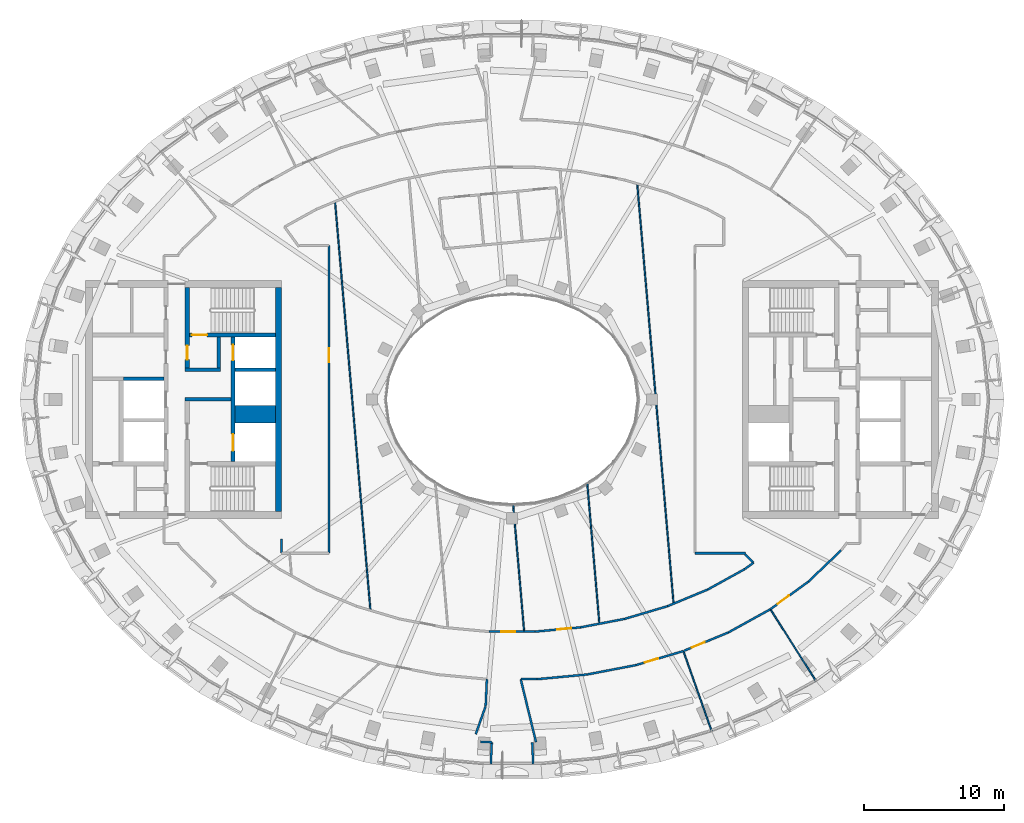
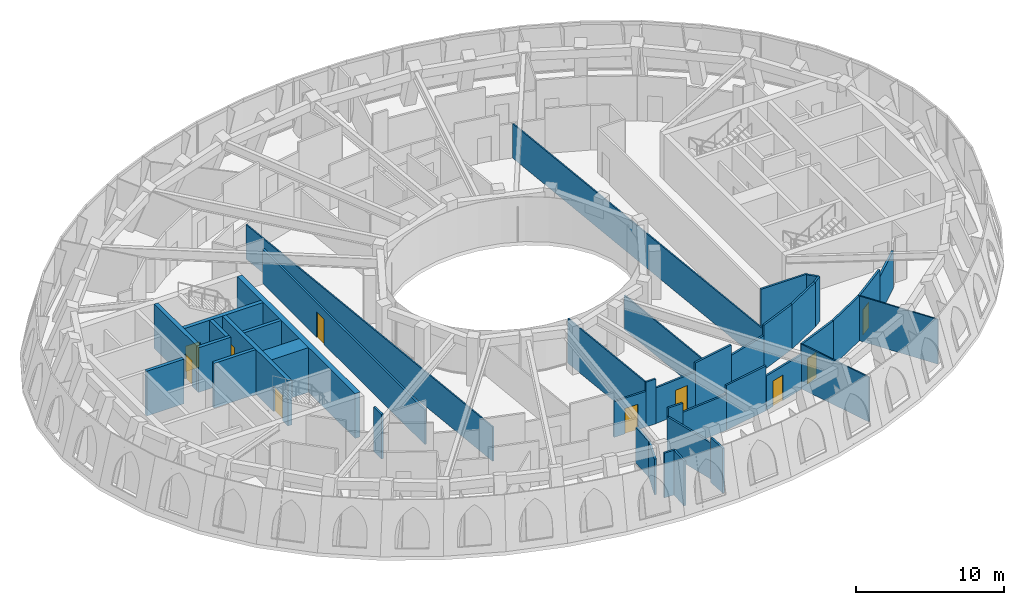
# One storey, part 4 of 14: 42 walls, 10 doors, 10 openings.
"""IFC4 building model written with IfcOpenShell, lengths in metres."""

import ifcopenshell
import ifcopenshell.guid

model = None  # the IFC model being written
_history = None  # IfcOwnerHistory: only IFC2X3 demands one
_inside = {}  # id of a spatial element -> (the spatial element, [elements in it])
_under = {}  # id of a project, library or spatial element -> (it, [spatial elements below it])
_declared = {}  # id of a project -> (the project, [libraries it declares])
_typed = {}  # id of a type object -> (the type object, [elements of that type])
_made_of = {}  # id of a material, layer set ... -> (it, [elements and type objects made of it])


def new_model(schema):
    """Start an empty IFC model of exactly this schema.

    Asked for "IFC4X3", IfcOpenShell would pick the latest addendum, in which some entities
    have other attributes; the version numbers below select the first issue.
    IFC2X3 requires an IfcOwnerHistory on every rooted entity: one is made here for all.
    """
    global model, _history
    if schema == "IFC4X3":
        model = ifcopenshell.file(schema_version=(4, 3, 0, 0))
    else:
        model = ifcopenshell.file(schema=schema)
    _inside.clear()
    _under.clear()
    _declared.clear()
    _typed.clear()
    _made_of.clear()
    _history = None
    if model.schema == "IFC2X3":
        org = make("IfcOrganization", Name="unknown")
        user = make(
            "IfcPersonAndOrganization",
            ThePerson=make("IfcPerson", FamilyName="unknown"),
            TheOrganization=org,
        )
        app = make(
            "IfcApplication",
            ApplicationDeveloper=org,
            Version="unknown",
            ApplicationFullName="unknown",
            ApplicationIdentifier="unknown",
        )
        _history = make(
            "IfcOwnerHistory",
            OwningUser=user,
            OwningApplication=app,
            ChangeAction="ADDED",
            CreationDate=0,
        )
    return model


def make(cls, **values):
    """One entity of the class cls with the attributes given. An attribute that is None is left unset."""
    return model.create_entity(
        cls, **{name: value for name, value in values.items() if value is not None}
    )


def rooted(cls, **values):
    """An entity with a GlobalId (a new one), such as an element, a storey or a relation."""
    return make(cls, GlobalId=ifcopenshell.guid.new(), OwnerHistory=_history, **values)


def si_unit(unit_type, name, prefix=None):
    """IfcSIUnit, for example si_unit("LENGTHUNIT", "METRE", prefix="MILLI")."""
    return make("IfcSIUnit", UnitType=unit_type, Prefix=prefix, Name=name)


def assignment(units):
    """IfcUnitAssignment: the units of a project."""
    return None if units is None else make("IfcUnitAssignment", Units=units)


def point(xyz):
    """IfcCartesianPoint."""
    return None if xyz is None else make("IfcCartesianPoint", Coordinates=xyz)


def direction(xyz):
    """IfcDirection."""
    return None if xyz is None else make("IfcDirection", DirectionRatios=xyz)


def frame(location, z_axis=None, x_axis=None):
    """IfcAxis2Placement3D, a coordinate frame: its origin and axes. An axis left out is left unset."""
    return make(
        "IfcAxis2Placement3D",
        Location=point(location),
        Axis=direction(z_axis),
        RefDirection=direction(x_axis),
    )


def frame_2d(location, x_axis=None):
    """IfcAxis2Placement2D, a coordinate frame in the plane: its origin and x axis."""
    return make(
        "IfcAxis2Placement2D", Location=point(location), RefDirection=direction(x_axis)
    )


def origin():
    """The frame at (0, 0, 0) with its axes left unset."""
    return frame((0.0, 0.0, 0.0))


def place(relative_to, where):
    """IfcLocalPlacement: puts the frame where relative to a parent placement (None: the world)."""
    return make(
        "IfcLocalPlacement", PlacementRelTo=relative_to, RelativePlacement=where
    )


def context(
    kind, dimensions, precision=None, world=None, true_north=None, identifier=None
):
    """IfcGeometricRepresentationContext, for example the 3D "Model" context."""
    return make(
        "IfcGeometricRepresentationContext",
        ContextIdentifier=identifier,
        ContextType=kind,
        CoordinateSpaceDimension=dimensions,
        Precision=precision,
        WorldCoordinateSystem=world,
        TrueNorth=true_north,
    )


def subcontext(parent, identifier, kind, view, scale=None):
    """IfcGeometricRepresentationSubContext, for example "Body" below "Model"."""
    return make(
        "IfcGeometricRepresentationSubContext",
        ContextIdentifier=identifier,
        ContextType=kind,
        ParentContext=parent,
        TargetScale=scale,
        TargetView=view,
    )


def project(units=None, contexts=None):
    """IfcProject with its units and contexts."""
    return rooted(
        "IfcProject",
        Name="project",
        RepresentationContexts=contexts,
        UnitsInContext=assignment(units),
    )


def spatial(cls, under=None, at=None, **own):
    """A site, building, storey or space (cls), placed at a placement, below another one or the project."""
    s = rooted(cls, ObjectPlacement=at, **own)
    if under is not None:
        _under.setdefault(under.id(), (under, []))[1].append(s)
    return s


def profile(cls, at=None, kind="AREA", **sizes):
    """A parametric profile (cls). Its sizes go by their IFC names, for example OverallWidth=200.0."""
    return make(cls, ProfileType=kind, Position=at, **sizes)


def rectangle(**sizes):
    """IfcRectangleProfileDef."""
    return profile("IfcRectangleProfileDef", **sizes)


def extrude(swept, where, along, depth):
    """IfcExtrudedAreaSolid: the profile swept, set in the frame where, extruded along a direction by depth."""
    return make(
        "IfcExtrudedAreaSolid",
        SweptArea=swept,
        Position=where,
        ExtrudedDirection=direction(along),
        Depth=depth,
    )


def shape(context_of_items, identifier, shape_type, items):
    """IfcShapeRepresentation: the items that make up one representation, for example the "Body"."""
    return make(
        "IfcShapeRepresentation",
        ContextOfItems=context_of_items,
        RepresentationIdentifier=identifier,
        RepresentationType=shape_type,
        Items=items,
    )


def material(Name=None, Category=None):
    """IfcMaterial."""
    return make("IfcMaterial", Name=Name, Category=Category)


def layer(
    of_material, thickness, ventilated=None, Name=None, Category=None, Priority=None
):
    """IfcMaterialLayer: one layer of a wall or slab, of a material (None: an air gap)."""
    return make(
        "IfcMaterialLayer",
        Material=of_material,
        LayerThickness=thickness,
        IsVentilated=ventilated,
        Name=Name,
        Category=Category,
        Priority=Priority,
    )


def layer_set(layers, Name=None):
    """IfcMaterialLayerSet."""
    return make("IfcMaterialLayerSet", MaterialLayers=layers, LayerSetName=Name)


def made_of(thing, what):
    """Note that an element or type object is made of a material, layer set ...; save() writes the relation."""
    if what is not None:
        _made_of.setdefault(what.id(), (what, []))[1].append(thing)
    return thing


def type_object(cls, material=None, **own):
    """A type object (cls), such as IfcWallType, which elements share."""
    return made_of(rooted(cls, **own), material)


def element(
    cls,
    number,
    at=None,
    inside=None,
    cuts=None,
    type_object=None,
    material=None,
    context=None,
    identifier="Body",
    shape_type=None,
    held_by="IfcProductDefinitionShape",
    body=None,
    shapes=None,
    **own,
):
    """One element of the class cls, such as IfcWall. Its Tag is "e" and its number.

    at: its placement. inside: the storey or other place that contains it. cuts: it is an
    opening in that element (IfcRelVoidsElement). A single representation is given by context,
    identifier, shape_type and body (its items); several are given by shapes. held_by: the class
    of the entity that holds the representations. save() writes the other relations.
    """
    e = rooted(cls, Tag="e%d" % number, ObjectPlacement=at, **own)
    if body is not None:
        shapes = [shape(context, identifier, shape_type, body)]
    if shapes is not None:
        e.Representation = make(held_by, Representations=shapes)
    if inside is not None:
        _inside.setdefault(inside.id(), (inside, []))[1].append(e)
    if cuts is not None:
        rooted(
            "IfcRelVoidsElement", RelatingBuildingElement=cuts, RelatedOpeningElement=e
        )
    if type_object is not None:
        _typed.setdefault(type_object.id(), (type_object, []))[1].append(e)
    return made_of(e, material)


def fill(opening, filler):
    """IfcRelFillsElement: the door or window that sits in an opening."""
    return rooted(
        "IfcRelFillsElement",
        RelatingOpeningElement=opening,
        RelatedBuildingElement=filler,
    )


def aggregate(whole, parts):
    """IfcRelAggregates: a whole, such as a stair, and the parts it consists of."""
    return rooted("IfcRelAggregates", RelatingObject=whole, RelatedObjects=parts)


def save(model, path):
    """Write the relations noted so far, then the file.

    IfcRelAggregates (storeys below a building ...), IfcRelContainedInSpatialStructure (elements
    in a storey), IfcRelDefinesByType, IfcRelAssociatesMaterial and IfcRelDeclares: one each for
    every whole, place, type object, material and project.
    """
    for whole, parts in _under.values():
        aggregate(whole, parts)
    for where, things in _inside.values():
        rooted(
            "IfcRelContainedInSpatialStructure",
            RelatedElements=things,
            RelatingStructure=where,
        )
    for kind, things in _typed.values():
        rooted("IfcRelDefinesByType", RelatedObjects=things, RelatingType=kind)
    for what, things in _made_of.values():
        rooted("IfcRelAssociatesMaterial", RelatedObjects=things, RelatingMaterial=what)
    for by, libraries in _declared.values():
        rooted("IfcRelDeclares", RelatingContext=by, RelatedDefinitions=libraries)
    model.write(path)


model = new_model("IFC4")

# Units and contexts
model_context = context("Model", 3, precision=1e-05, world=origin(), true_north=direction((0.0, 1.0)))
body_context = subcontext(model_context, "Body", "Model", "MODEL_VIEW")
ifc_project = project(units=[si_unit("LENGTHUNIT", "METRE"), si_unit("AREAUNIT", "SQUARE_METRE"), si_unit("VOLUMEUNIT", "CUBIC_METRE"), si_unit("PLANEANGLEUNIT", "RADIAN"), si_unit("MASSUNIT", "GRAM", prefix="KILO")], contexts=[model_context])

# Site, building, storey
site_placement = place(None, origin())
site = spatial("IfcSite", under=ifc_project, at=site_placement, CompositionType="ELEMENT")
building_placement = place(site_placement, origin())
building = spatial("IfcBuilding", under=site, at=building_placement, Name="Noorbagh Ring Tower", CompositionType="ELEMENT")
storey_placement = place(building_placement, frame((0.0, 0.0, 339.0)))
storey = spatial("IfcBuildingStorey", under=building, at=storey_placement, Name="L74", CompositionType="ELEMENT", Elevation=339.0)

# Walls
ifc_material_1 = material(Name="Concrete C50/60", Category="concrete")
ifc_layer_1 = layer(ifc_material_1, 1.25)
ifc_layer_set_1 = layer_set([ifc_layer_1], Name="Concrete C50/60")
wall_type_1 = type_object("IfcWallType", Name="CORE-WALL-1250-C50-60-EI120", PredefinedType="SHEAR", material=ifc_layer_set_1)
wall_1_placement = place(storey_placement, frame((-16.89990234375, -1.074951171875, 0.0), z_axis=(0.0, 0.0, 1.0), x_axis=(-1.0, 0.0, 0.0)))
element("IfcWall", 1, at=wall_1_placement, inside=storey, type_object=wall_type_1, Name="Core wall W", PredefinedType="SHEAR", context=body_context, shape_type="SweptSolid", body=[
    extrude(rectangle(XDim=2.900146484375, YDim=1.25, at=frame_2d((1.4501953125, 0.0))), origin(), (0.0, 0.0, 1.0), 3.699951171875),
])
ifc_material_2 = material(Name="Concrete C50/60", Category="concrete")
ifc_layer_2 = layer(ifc_material_2, 0.25)
ifc_layer_set_2 = layer_set([ifc_layer_2], Name="Concrete C50/60")
wall_type_2 = type_object("IfcWallType", Name="CORE-WALL-250-C50-60-EI120", PredefinedType="SHEAR", material=ifc_layer_set_2)
for number, where, z_axis, x_axis, name in (
    (2, (-16.89990234375, 2.125, 0.0), (0.0, 0.0, 1.0), (-1.0, 0.0, 0.0), "Core wall W"),
    (3, (-24.89990234375, 1.47509765625, 0.0), (0.0, 0.0, 1.0), (-1.0, 0.0, 0.0), "Core wall W"),
):
    element("IfcWall", number, at=place(storey_placement, frame(where, z_axis=z_axis, x_axis=x_axis)), inside=storey, type_object=wall_type_2, Name=name, PredefinedType="SHEAR", context=body_context, shape_type="SweptSolid", body=[
        extrude(rectangle(XDim=2.900146484375, YDim=0.25, at=frame_2d((1.4501953125, 0.0))), origin(), (0.0, 0.0, 1.0), 3.699951171875),
    ])
ifc_material_3 = material(Name="Concrete C50/60", Category="concrete")
ifc_layer_3 = layer(ifc_material_3, 0.25)
ifc_layer_set_3 = layer_set([ifc_layer_3], Name="Concrete C50/60")
wall_type_3 = type_object("IfcWallType", Name="CORE-WALL-250-C50-60-EI240", PredefinedType="SHEAR", material=ifc_layer_set_3)
wall_2_placement = place(storey_placement, frame((-20.10009765625, 0.0, 0.0), z_axis=(0.0, 0.0, 1.0), x_axis=(-1.0, 0.0, 0.0)))
element("IfcWall", 4, at=wall_2_placement, inside=storey, type_object=wall_type_3, Name="Core wall W", PredefinedType="SHEAR", context=body_context, shape_type="SweptSolid", body=[
    extrude(rectangle(XDim=3.27978515625, YDim=0.25, at=frame_2d((1.639892578125, 0.0))), origin(), (0.0, 0.0, 1.0), 3.699951171875),
])
wall_3_placement = place(storey_placement, frame((-20.85009765625, 2.125, 0.0), z_axis=(0.0, 0.0, 1.0), x_axis=(-1.0, 0.0, 0.0)))
element("IfcWall", 5, at=wall_3_placement, inside=storey, type_object=wall_type_3, Name="Core wall W", PredefinedType="SHEAR", context=body_context, shape_type="SweptSolid", body=[
    extrude(rectangle(XDim=2.52978515625, YDim=0.25, at=frame_2d((1.264892578125, 0.0))), origin(), (0.0, 0.0, 1.0), 3.699951171875),
])
wall_4_placement = place(storey_placement, frame((-20.97509765625, 2.25, 0.0), z_axis=(0.0, 0.0, 1.0), x_axis=(0.0, 1.0, 0.0)))
element("IfcWall", 6, at=wall_4_placement, inside=storey, type_object=wall_type_3, Name="Core wall W", PredefinedType="SHEAR", context=body_context, shape_type="SweptSolid", body=[
    extrude(rectangle(XDim=2.199951171875, YDim=0.25, at=frame_2d((1.10009765625, 0.0))), origin(), (0.0, 0.0, 1.0), 3.699951171875),
])

# Wall, openings, doors
ifc_material_4 = material(Name="Concrete C50/60", Category="concrete")
ifc_layer_4 = layer(ifc_material_4, 0.300048828125)
ifc_layer_set_4 = layer_set([ifc_layer_4], Name="Concrete C50/60")
wall_type_4 = type_object("IfcWallType", Name="CORE-WALL-300-C50-60-EI120", PredefinedType="SHEAR", material=ifc_layer_set_4)
wall_5_placement = place(storey_placement, frame((-19.949951171875, -4.449951171875, 0.0), z_axis=(0.0, 0.0, 1.0), x_axis=(0.0, 1.0, 0.0)))
wall_5 = element("IfcWall", 7, at=wall_5_placement, inside=storey, type_object=wall_type_4, Name="Core wall W", PredefinedType="SHEAR", context=body_context, shape_type="SweptSolid", body=[
    extrude(rectangle(XDim=8.89990234375, YDim=0.300048828125, at=frame_2d((4.449951171875, 0.0))), origin(), (0.0, 0.0, 1.0), 3.699951171875),
])
opening_1_placement = place(wall_5_placement, frame((0.77490234375, 0.0, 0.0)))
opening_1 = element("IfcOpeningElement", 8, at=opening_1_placement, cuts=wall_5, Name="Opening L74-CW01", PredefinedType="OPENING", context=body_context, shape_type="SweptSolid", body=[
    extrude(rectangle(XDim=1.199951171875, YDim=2.10009765625, at=frame_2d((0.60009765625, 1.050048828125))), frame((0.0, 0.16015625, 0.0), z_axis=(0.0, -1.0, 0.0), x_axis=(1.0, 0.0, 0.0)), (0.0, 0.0, 1.0), 0.320068359375),
])
opening_2_placement = place(wall_5_placement, frame((7.25, 0.0, 0.0)))
opening_2 = element("IfcOpeningElement", 9, at=opening_2_placement, cuts=wall_5, Name="Opening L74-CW02", PredefinedType="OPENING", context=body_context, shape_type="SweptSolid", body=[
    extrude(rectangle(XDim=1.10009765625, YDim=2.10009765625, at=frame_2d((0.550048828125, 1.050048828125))), frame((0.0, 0.16015625, 0.0), z_axis=(0.0, -1.0, 0.0), x_axis=(1.0, 0.0, 0.0)), (0.0, 0.0, 1.0), 0.320068359375),
])
ifc_material_5 = material(Name="Steel door leaf", Category="steel")
door_type_1 = type_object("IfcDoorType", Name="CORE-DOOR-LD", OperationType="DOUBLE_DOOR_SLIDING", PredefinedType="DOOR", material=ifc_material_5)
door_1_placement = place(opening_2_placement, origin())
door_1 = element("IfcDoor", 10, at=door_1_placement, inside=storey, type_object=door_type_1, Name="Landing door HR1 L74-CW02", OperationType="DOUBLE_DOOR_SLIDING", OverallHeight=2.10009765625, OverallWidth=1.10009765625, PredefinedType="DOOR", context=body_context, shape_type="SweptSolid", body=[
    extrude(rectangle(XDim=1.10009765625, YDim=2.10009765625, at=frame_2d((0.550048828125, 1.050048828125))), frame((0.0, 0.02490234375, 0.0), z_axis=(0.0, -1.0, 0.0), x_axis=(1.0, 0.0, 0.0)), (0.0, 0.0, 1.0), 0.050048828125),
])
fill(opening_2, door_1)
ifc_material_6 = material(Name="Steel door leaf", Category="steel")
door_type_2 = type_object("IfcDoorType", Name="CORE-DOOR-LDW", OperationType="DOUBLE_DOOR_SLIDING", PredefinedType="DOOR", material=ifc_material_6)
door_2_placement = place(opening_1_placement, origin())
door_2 = element("IfcDoor", 11, at=door_2_placement, inside=storey, type_object=door_type_2, Name="Landing door FF1 L74-CW01", OperationType="DOUBLE_DOOR_SLIDING", OverallHeight=2.10009765625, OverallWidth=1.199951171875, PredefinedType="DOOR", context=body_context, shape_type="SweptSolid", body=[
    extrude(rectangle(XDim=1.199951171875, YDim=2.10009765625, at=frame_2d((0.60009765625, 1.050048828125))), frame((0.0, 0.02490234375, 0.0), z_axis=(0.0, -1.0, 0.0), x_axis=(1.0, 0.0, 0.0)), (0.0, 0.0, 1.0), 0.050048828125),
])
fill(opening_1, door_2)

# Wall, opening, door
ifc_material_7 = material(Name="Concrete C50/60", Category="concrete")
ifc_layer_5 = layer(ifc_material_7, 0.300048828125)
ifc_layer_set_5 = layer_set([ifc_layer_5], Name="Concrete C50/60")
wall_type_5 = type_object("IfcWallType", Name="CORE-WALL-300-C50-60-EI240", PredefinedType="SHEAR", material=ifc_layer_set_5)
wall_6_placement = place(storey_placement, frame((-23.22998046875, 2.25, 0.0), z_axis=(0.0, 0.0, 1.0), x_axis=(0.0, 1.0, 0.0)))
wall_6 = element("IfcWall", 12, at=wall_6_placement, inside=storey, type_object=wall_type_5, Name="Core wall W", PredefinedType="SHEAR", context=body_context, shape_type="SweptSolid", body=[
    extrude(rectangle(XDim=5.75, YDim=0.300048828125, at=frame_2d((2.875, 0.0))), origin(), (0.0, 0.0, 1.0), 3.699951171875),
])
opening_3_placement = place(wall_6_placement, frame((0.60009765625, 0.0, 0.0)))
opening_3 = element("IfcOpeningElement", 13, at=opening_3_placement, cuts=wall_6, Name="Opening L74-CW08", PredefinedType="OPENING", context=body_context, shape_type="SweptSolid", body=[
    extrude(rectangle(XDim=1.0, YDim=2.10009765625, at=frame_2d((0.5, 1.050048828125))), frame((0.0, 0.16015625, 0.0), z_axis=(0.0, -1.0, 0.0), x_axis=(1.0, 0.0, 0.0)), (0.0, 0.0, 1.0), 0.320068359375),
])
ifc_material_8 = material(Name="Steel door leaf", Category="steel")
door_type_3 = type_object("IfcDoorType", Name="CORE-DOOR-DVEST", OperationType="SINGLE_SWING_LEFT", PredefinedType="DOOR", material=ifc_material_8)
door_3_placement = place(opening_3_placement, origin())
door_3 = element("IfcDoor", 14, at=door_3_placement, inside=storey, type_object=door_type_3, Name="Stair vestibule door L74-CW08", OperationType="SINGLE_SWING_LEFT", OverallHeight=2.10009765625, OverallWidth=1.0, PredefinedType="DOOR", context=body_context, shape_type="SweptSolid", body=[
    extrude(rectangle(XDim=1.0, YDim=2.10009765625, at=frame_2d((0.5, 1.050048828125))), frame((0.0, 0.02490234375, 0.0), z_axis=(0.0, -1.0, 0.0), x_axis=(1.0, 0.0, 0.0)), (0.0, 0.0, 1.0), 0.050048828125),
])
fill(opening_3, door_3)

wall_7_placement = place(storey_placement, frame((-16.89990234375, 4.60009765625, 0.0), z_axis=(0.0, 0.0, 1.0), x_axis=(-1.0, 0.0, 0.0)))
wall_7 = element("IfcWall", 15, at=wall_7_placement, inside=storey, type_object=wall_type_5, Name="Core wall W", PredefinedType="SHEAR", context=body_context, shape_type="SweptSolid", body=[
    extrude(rectangle(XDim=6.18017578125, YDim=0.300048828125, at=frame_2d((3.090087890625, 0.0))), origin(), (0.0, 0.0, 1.0), 3.699951171875),
])
opening_4_placement = place(wall_7_placement, frame((4.89990234375, 0.0, 0.0)))
opening_4 = element("IfcOpeningElement", 16, at=opening_4_placement, cuts=wall_7, Name="Opening L74-CW05", PredefinedType="OPENING", context=body_context, shape_type="SweptSolid", body=[
    extrude(rectangle(XDim=1.10009765625, YDim=2.10009765625, at=frame_2d((0.550048828125, 1.050048828125))), frame((0.0, 0.16015625, 0.0), z_axis=(0.0, -1.0, 0.0), x_axis=(1.0, 0.0, 0.0)), (0.0, 0.0, 1.0), 0.320068359375),
])
ifc_material_9 = material(Name="Steel door leaf", Category="steel")
door_type_4 = type_object("IfcDoorType", Name="CORE-DOOR-DSTAIR", OperationType="SINGLE_SWING_LEFT", PredefinedType="DOOR", material=ifc_material_9)
door_4_placement = place(opening_4_placement, origin())
door_4 = element("IfcDoor", 17, at=door_4_placement, inside=storey, type_object=door_type_4, Name="Stair door ST1 L74-CW05", OperationType="SINGLE_SWING_RIGHT", OverallHeight=2.10009765625, OverallWidth=1.10009765625, PredefinedType="DOOR", context=body_context, shape_type="SweptSolid", body=[
    extrude(rectangle(XDim=1.10009765625, YDim=2.10009765625, at=frame_2d((0.550048828125, 1.050048828125))), frame((0.0, 0.02490234375, 0.0), z_axis=(0.0, -1.0, 0.0), x_axis=(1.0, 0.0, 0.0)), (0.0, 0.0, 1.0), 0.050048828125),
])
fill(opening_4, door_4)

# Walls
ifc_material_10 = material(Name="Concrete C50/60", Category="concrete")
ifc_layer_6 = layer(ifc_material_10, 0.39990234375)
ifc_layer_set_6 = layer_set([ifc_layer_6], Name="Concrete C50/60")
wall_type_6 = type_object("IfcWallType", Name="CORE-WALL-400-C50-60-EI240", PredefinedType="SHEAR", material=ifc_layer_set_6)
wall_8_placement = place(storey_placement, frame((-16.699951171875, -8.0, 0.0), z_axis=(0.0, 0.0, 1.0), x_axis=(0.0, 1.0, 0.0)))
element("IfcWall", 18, at=wall_8_placement, inside=storey, type_object=wall_type_6, Name="Core wall W", PredefinedType="SHEAR", context=body_context, shape_type="SweptSolid", body=[
    extrude(rectangle(XDim=16.0, YDim=0.39990234375, at=frame_2d((8.0, 0.0))), origin(), (0.0, 0.0, 1.0), 3.699951171875),
])
ifc_material_11 = material(Name="Gypsum board on steel studs", Category="steel")
ifc_layer_7 = layer(ifc_material_11, 0.14990234375)
ifc_layer_set_7 = layer_set([ifc_layer_7], Name="Gypsum board on steel studs")
wall_type_7 = type_object("IfcWallType", Name="CORRIDOR PARTITION 150 EI 30", PredefinedType="PARTITIONING", material=ifc_layer_set_7)
wall_9_placement = place(storey_placement, frame((-16.5, -11.0, 0.0), z_axis=(0.0, 0.0, 1.0), x_axis=(0.0, 1.0, 0.0)))
element("IfcWall", 19, at=wall_9_placement, inside=storey, type_object=wall_type_7, Name="L74/wall/P23", PredefinedType="PARTITIONING", context=body_context, shape_type="SweptSolid", body=[
    extrude(rectangle(XDim=1.035888671875, YDim=0.14990234375, at=frame_2d((0.51806640625, 0.0))), origin(), (0.0, 0.0, 1.0), 3.699951171875),
])

# Wall, opening, door
wall_10_placement = place(storey_placement, frame((-13.10009765625, -11.0, 0.0), z_axis=(0.0, 0.0, 1.0), x_axis=(0.0, 1.0, 0.0)))
wall_10 = element("IfcWall", 20, at=wall_10_placement, inside=storey, type_object=wall_type_7, Name="L74/wall/P36", PredefinedType="PARTITIONING", context=body_context, shape_type="SweptSolid", body=[
    extrude(rectangle(XDim=22.0, YDim=0.14990234375, at=frame_2d((11.0, 0.0))), origin(), (0.0, 0.0, 1.0), 2.85009765625),
])
opening_5_placement = place(wall_10_placement, frame((13.64990234375, 0.0, 0.0)))
opening_5 = element("IfcOpeningElement", 21, at=opening_5_placement, cuts=wall_10, Name="Opening D1", PredefinedType="OPENING", context=body_context, shape_type="SweptSolid", body=[
    extrude(rectangle(XDim=1.0, YDim=2.10009765625, at=frame_2d((0.5, 1.050048828125))), frame((0.0, 0.0849609375, 0.0), z_axis=(0.0, -1.0, 0.0), x_axis=(1.0, 0.0, 0.0)), (0.0, 0.0, 1.0), 0.169921875),
])
ifc_material_12 = material(Name="Timber, painted", Category="wood")
door_type_5 = type_object("IfcDoorType", Name="DOOR 1000 X 2100 FD30", OperationType="SINGLE_SWING_LEFT", PredefinedType="DOOR", material=ifc_material_12)
door_5_placement = place(opening_5_placement, origin())
door_5 = element("IfcDoor", 22, at=door_5_placement, inside=storey, type_object=door_type_5, Name="L74-D18", OperationType="SINGLE_SWING_RIGHT", OverallHeight=2.10009765625, OverallWidth=1.0, PredefinedType="DOOR", context=body_context, shape_type="SweptSolid", body=[
    extrude(rectangle(XDim=1.0, YDim=2.10009765625, at=frame_2d((0.5, 1.050048828125))), frame((0.0, 0.02490234375, 0.0), z_axis=(0.0, -1.0, 0.0), x_axis=(1.0, 0.0, 0.0)), (0.0, 0.0, 1.0), 0.050048828125),
])
fill(opening_5, door_5)

# Walls
wall_11_placement = place(storey_placement, frame((-2.593017578125, -23.93505859375, 0.0), z_axis=(0.0, 0.0, 1.0), x_axis=(0.333969157123, 0.94258400267, 0.0)))
element("IfcWall", 23, at=wall_11_placement, inside=storey, type_object=wall_type_7, Name="L74/wall/P55", PredefinedType="PARTITIONING", context=body_context, shape_type="SweptSolid", body=[
    extrude(rectangle(XDim=2.111328125, YDim=0.14990234375, at=frame_2d((1.0556640625, 0.0))), origin(), (0.0, 0.0, 1.0), 2.949951171875),
])
wall_12_placement = place(storey_placement, frame((-2.258056640625, -24.486083984375, 0.0), z_axis=(0.0, 0.0, 1.0), x_axis=(0.998921056016, -0.046440540997, 0.0)))
element("IfcWall", 24, at=wall_12_placement, inside=storey, type_object=wall_type_7, Name="L74/wall/P58", PredefinedType="PARTITIONING", context=body_context, shape_type="SweptSolid", body=[
    extrude(rectangle(XDim=0.81494140625, YDim=0.14990234375, at=frame_2d((0.407470703125, 0.0))), origin(), (0.0, 0.0, 1.0), 3.699951171875),
])
wall_13_placement = place(storey_placement, frame((-1.885009765625, -21.930908203125, 0.0), z_axis=(0.0, 0.0, 1.0), x_axis=(0.0469187403, 0.998898709484, 0.0)))
element("IfcWall", 25, at=wall_13_placement, inside=storey, type_object=wall_type_7, Name="L74/wall/P60", PredefinedType="PARTITIONING", context=body_context, shape_type="SweptSolid", body=[
    extrude(rectangle(XDim=1.920166015625, YDim=0.14990234375, at=frame_2d((0.9599609375, 0.0))), origin(), (0.0, 0.0, 1.0), 2.949951171875),
])

# Wall, opening, door
wall_14_placement = place(storey_placement, frame((-1.635986328125, -16.60888671875, 0.0), z_axis=(0.0, 0.0, 1.0), x_axis=(1.0, 0.0, 0.0)))
wall_14 = element("IfcWall", 26, at=wall_14_placement, inside=storey, type_object=wall_type_7, Name="L74/wall/P62", PredefinedType="PARTITIONING", context=body_context, shape_type="SweptSolid", body=[
    extrude(rectangle(XDim=2.486083984375, YDim=0.14990234375, at=frame_2d((1.2431640625, 0.0))), origin(), (0.0, 0.0, 1.0), 2.949951171875),
])
opening_6_placement = place(wall_14_placement, frame((0.85595703125, 0.0, 0.0)))
opening_6 = element("IfcOpeningElement", 27, at=opening_6_placement, cuts=wall_14, Name="Opening D1", PredefinedType="OPENING", context=body_context, shape_type="SweptSolid", body=[
    extrude(rectangle(XDim=1.0, YDim=2.10009765625, at=frame_2d((0.5, 1.050048828125))), frame((0.0, 0.0849609375, 0.0), z_axis=(0.0, -1.0, 0.0), x_axis=(1.0, 0.0, 0.0)), (0.0, 0.0, 1.0), 0.169921875),
])
door_6_placement = place(opening_6_placement, origin())
door_6 = element("IfcDoor", 28, at=door_6_placement, inside=storey, type_object=door_type_5, Name="L74-D20", OperationType="SINGLE_SWING_RIGHT", OverallHeight=2.10009765625, OverallWidth=1.0, PredefinedType="DOOR", context=body_context, shape_type="SweptSolid", body=[
    extrude(rectangle(XDim=1.0, YDim=2.10009765625, at=frame_2d((0.5, 1.050048828125))), frame((0.0, 0.02490234375, 0.0), z_axis=(0.0, -1.0, 0.0), x_axis=(1.0, 0.0, 0.0)), (0.0, 0.0, 1.0), 0.050048828125),
])
fill(opening_6, door_6)

# Walls
wall_15_placement = place(storey_placement, frame((-1.51708984375, -26.05908203125, 0.0), z_axis=(0.0, 0.0, 1.0), x_axis=(0.047497223223, 0.99887136999, 0.0)))
element("IfcWall", 29, at=wall_15_placement, inside=storey, type_object=wall_type_7, Name="L74/wall/P64", PredefinedType="PARTITIONING", context=body_context, shape_type="SweptSolid", body=[
    extrude(rectangle(XDim=1.536865234375, YDim=0.14990234375, at=frame_2d((0.7685546875, 0.0))), origin(), (0.0, 0.0, 1.0), 3.699951171875),
])
wall_16_placement = place(storey_placement, frame((0.623046875, -20.009033203125, 0.0), z_axis=(0.0, 0.0, 1.0), x_axis=(0.236331410115, -0.971672508921, 0.0)))
element("IfcWall", 30, at=wall_16_placement, inside=storey, type_object=wall_type_7, Name="L74/wall/P68", PredefinedType="PARTITIONING", context=body_context, shape_type="SweptSolid", body=[
    extrude(rectangle(XDim=4.63330078125, YDim=0.14990234375, at=frame_2d((2.316650390625, 0.0))), origin(), (0.0, 0.0, 1.0), 3.0),
])
wall_17_placement = place(storey_placement, frame((0.639892578125, -20.009033203125, 0.0), z_axis=(0.0, 0.0, 1.0), x_axis=(1.0, 0.0, 0.0)))
element("IfcWall", 31, at=wall_17_placement, inside=storey, type_object=wall_type_7, Name="L74/wall/P70", PredefinedType="PARTITIONING", context=body_context, shape_type="SweptSolid", body=[
    extrude(rectangle(XDim=1.155029296875, YDim=0.14990234375, at=frame_2d((0.57763671875, 0.0))), origin(), (0.0, 0.0, 1.0), 3.699951171875),
])
wall_18_placement = place(storey_placement, frame((0.8701171875, -16.60888671875, 0.0), z_axis=(0.0, 0.0, 1.0), x_axis=(1.0, 0.0, 0.0)))
element("IfcWall", 32, at=wall_18_placement, inside=storey, type_object=wall_type_7, Name="L74/wall/P72", PredefinedType="PARTITIONING", context=body_context, shape_type="SweptSolid", body=[
    extrude(rectangle(XDim=0.765869140625, YDim=0.14990234375, at=frame_2d((0.3828125, 0.0))), origin(), (0.0, 0.0, 1.0), 3.699951171875),
])
wall_19_placement = place(storey_placement, frame((1.444091796875, -24.52392578125, 0.0), z_axis=(0.0, 0.0, 1.0), x_axis=(0.047497223223, -0.99887136999, 0.0)))
element("IfcWall", 33, at=wall_19_placement, inside=storey, type_object=wall_type_7, Name="L74/wall/P73", PredefinedType="PARTITIONING", context=body_context, shape_type="SweptSolid", body=[
    extrude(rectangle(XDim=1.536865234375, YDim=0.14990234375, at=frame_2d((0.7685546875, 0.0))), origin(), (0.0, 0.0, 1.0), 3.699951171875),
])

# Wall, opening, door
wall_20_placement = place(storey_placement, frame((1.635986328125, -16.60888671875, 0.0), z_axis=(0.0, 0.0, 1.0), x_axis=(0.995622046736, 0.093470530395, 0.0)))
wall_20 = element("IfcWall", 34, at=wall_20_placement, inside=storey, type_object=wall_type_7, Name="L74/wall/P75", PredefinedType="PARTITIONING", context=body_context, shape_type="SweptSolid", body=[
    extrude(rectangle(XDim=3.262451171875, YDim=0.14990234375, at=frame_2d((1.63134765625, 0.0))), origin(), (0.0, 0.0, 1.0), 2.949951171875),
])
opening_7_placement = place(wall_20_placement, frame((1.6123046875, 0.0, 0.0)))
opening_7 = element("IfcOpeningElement", 35, at=opening_7_placement, cuts=wall_20, Name="Opening D1", PredefinedType="OPENING", context=body_context, shape_type="SweptSolid", body=[
    extrude(rectangle(XDim=1.0, YDim=2.10009765625, at=frame_2d((0.5, 1.050048828125))), frame((0.0, 0.0849609375, 0.0), z_axis=(0.0, -1.0, 0.0), x_axis=(1.0, 0.0, 0.0)), (0.0, 0.0, 1.0), 0.169921875),
])
door_7_placement = place(opening_7_placement, origin())
door_7 = element("IfcDoor", 36, at=door_7_placement, inside=storey, type_object=door_type_5, Name="L74-D21", OperationType="SINGLE_SWING_LEFT", OverallHeight=2.10009765625, OverallWidth=1.0, PredefinedType="DOOR", context=body_context, shape_type="SweptSolid", body=[
    extrude(rectangle(XDim=1.0, YDim=2.10009765625, at=frame_2d((0.5, 1.050048828125))), frame((0.0, 0.02490234375, 0.0), z_axis=(0.0, -1.0, 0.0), x_axis=(1.0, 0.0, 0.0)), (0.0, 0.0, 1.0), 0.050048828125),
])
fill(opening_7, door_7)

# Walls
wall_21_placement = place(storey_placement, frame((1.794921875, -20.009033203125, 0.0), z_axis=(0.0, 0.0, 1.0), x_axis=(0.995622545641, 0.093465216053, 0.0)))
element("IfcWall", 37, at=wall_21_placement, inside=storey, type_object=wall_type_7, Name="L74/wall/P77", PredefinedType="PARTITIONING", context=body_context, shape_type="SweptSolid", body=[
    extrude(rectangle(XDim=3.583740234375, YDim=0.14990234375, at=frame_2d((1.7919921875, 0.0))), origin(), (0.0, 0.0, 1.0), 2.949951171875),
])
wall_22_placement = place(storey_placement, frame((4.884033203125, -16.303955078125, 0.0), z_axis=(0.0, 0.0, 1.0), x_axis=(0.982180989815, 0.187937498243, 0.0)))
element("IfcWall", 38, at=wall_22_placement, inside=storey, type_object=wall_type_7, Name="L74/wall/P81", PredefinedType="PARTITIONING", context=body_context, shape_type="SweptSolid", body=[
    extrude(rectangle(XDim=3.234619140625, YDim=0.14990234375, at=frame_2d((1.6171875, 0.0))), origin(), (0.0, 0.0, 1.0), 3.699951171875),
])
wall_23_placement = place(storey_placement, frame((5.363037109375, -19.674072265625, 0.0), z_axis=(0.0, 0.0, 1.0), x_axis=(0.982136086286, 0.188172017089, 0.0)))
element("IfcWall", 39, at=wall_23_placement, inside=storey, type_object=wall_type_7, Name="L74/wall/P83", PredefinedType="PARTITIONING", context=body_context, shape_type="SweptSolid", body=[
    extrude(rectangle(XDim=3.566650390625, YDim=0.14990234375, at=frame_2d((1.783203125, 0.0))), origin(), (0.0, 0.0, 1.0), 3.699951171875),
])
wall_24_placement = place(storey_placement, frame((8.06103515625, -15.696044921875, 0.0), z_axis=(0.0, 0.0, 1.0), x_axis=(0.958800429476, 0.284080510482, 0.0)))
element("IfcWall", 40, at=wall_24_placement, inside=storey, type_object=wall_type_7, Name="L74/wall/P86", PredefinedType="PARTITIONING", context=body_context, shape_type="SweptSolid", body=[
    extrude(rectangle(XDim=3.189208984375, YDim=0.14990234375, at=frame_2d((1.5947265625, 0.0))), origin(), (0.0, 0.0, 1.0), 2.85009765625),
])

# Wall, opening, door
wall_25_placement = place(storey_placement, frame((8.865966796875, -19.0029296875, 0.0), z_axis=(0.0, 0.0, 1.0), x_axis=(0.958814835119, 0.284031885456, 0.0)))
wall_25 = element("IfcWall", 41, at=wall_25_placement, inside=storey, type_object=wall_type_7, Name="L74/wall/P88", PredefinedType="PARTITIONING", context=body_context, shape_type="SweptSolid", body=[
    extrude(rectangle(XDim=3.534423828125, YDim=0.14990234375, at=frame_2d((1.76708984375, 0.0))), origin(), (0.0, 0.0, 1.0), 2.85009765625),
])
opening_8_placement = place(wall_25_placement, frame((0.64990234375, 0.0, 0.0)))
opening_8 = element("IfcOpeningElement", 42, at=opening_8_placement, cuts=wall_25, Name="Opening D1", PredefinedType="OPENING", context=body_context, shape_type="SweptSolid", body=[
    extrude(rectangle(XDim=1.0, YDim=2.10009765625, at=frame_2d((0.5, 1.050048828125))), frame((0.0, 0.0849609375, 0.0), z_axis=(0.0, -1.0, 0.0), x_axis=(1.0, 0.0, 0.0)), (0.0, 0.0, 1.0), 0.169921875),
])
door_8_placement = place(opening_8_placement, origin())
door_8 = element("IfcDoor", 43, at=door_8_placement, inside=storey, type_object=door_type_5, Name="L74-D11", OperationType="SINGLE_SWING_LEFT", OverallHeight=2.10009765625, OverallWidth=1.0, PredefinedType="DOOR", context=body_context, shape_type="SweptSolid", body=[
    extrude(rectangle(XDim=1.0, YDim=2.10009765625, at=frame_2d((0.5, 1.050048828125))), frame((0.0, 0.02490234375, 0.0), z_axis=(0.0, -1.0, 0.0), x_axis=(1.0, 0.0, 0.0)), (0.0, 0.0, 1.0), 0.050048828125),
])
fill(opening_8, door_8)

# Wall
wall_26_placement = place(storey_placement, frame((11.118896484375, -14.7900390625, 0.0), z_axis=(0.0, 0.0, 1.0), x_axis=(0.923937725564, 0.382542911685, 0.0)))
element("IfcWall", 44, at=wall_26_placement, inside=storey, type_object=wall_type_7, Name="L74/wall/P91", PredefinedType="PARTITIONING", context=body_context, shape_type="SweptSolid", body=[
    extrude(rectangle(XDim=3.121337890625, YDim=0.14990234375, at=frame_2d((1.560546875, 0.0))), origin(), (0.0, 0.0, 1.0), 3.699951171875),
])

# Wall, opening, door
wall_27_placement = place(storey_placement, frame((12.27392578125, -17.990966796875, 0.0), z_axis=(0.0, 0.0, 1.0), x_axis=(0.923990257029, 0.382416010277, 0.0)))
wall_27 = element("IfcWall", 45, at=wall_27_placement, inside=storey, type_object=wall_type_7, Name="L74/wall/P95", PredefinedType="PARTITIONING", context=body_context, shape_type="SweptSolid", body=[
    extrude(rectangle(XDim=3.4697265625, YDim=0.14990234375, at=frame_2d((1.73486328125, 0.0))), origin(), (0.0, 0.0, 1.0), 3.699951171875),
])
opening_9_placement = place(wall_27_placement, frame((0.62939453125, 0.0, 0.0)))
opening_9 = element("IfcOpeningElement", 46, at=opening_9_placement, cuts=wall_27, Name="Opening D1", PredefinedType="OPENING", context=body_context, shape_type="SweptSolid", body=[
    extrude(rectangle(XDim=1.0, YDim=2.10009765625, at=frame_2d((0.5, 1.050048828125))), frame((0.0, 0.0849609375, 0.0), z_axis=(0.0, -1.0, 0.0), x_axis=(1.0, 0.0, 0.0)), (0.0, 0.0, 1.0), 0.169921875),
])
door_9_placement = place(opening_9_placement, origin())
door_9 = element("IfcDoor", 47, at=door_9_placement, inside=storey, type_object=door_type_5, Name="L74-D13", OperationType="SINGLE_SWING_LEFT", OverallHeight=2.10009765625, OverallWidth=1.0, PredefinedType="DOOR", context=body_context, shape_type="SweptSolid", body=[
    extrude(rectangle(XDim=1.0, YDim=2.10009765625, at=frame_2d((0.5, 1.050048828125))), frame((0.0, 0.02490234375, 0.0), z_axis=(0.0, -1.0, 0.0), x_axis=(1.0, 0.0, 0.0)), (0.0, 0.0, 1.0), 0.050048828125),
])
fill(opening_9, door_9)

# Walls
wall_28_placement = place(storey_placement, frame((13.10009765625, -11.0, 0.0), z_axis=(0.0, 0.0, 1.0), x_axis=(1.0, 0.0, 0.0)))
element("IfcWall", 48, at=wall_28_placement, inside=storey, type_object=wall_type_7, Name="L74/wall/P98", PredefinedType="PARTITIONING", context=body_context, shape_type="SweptSolid", body=[
    extrude(rectangle(XDim=3.60888671875, YDim=0.14990234375, at=frame_2d((1.804443359375, 0.0))), origin(), (0.0, 0.0, 1.0), 3.699951171875),
])
wall_29_placement = place(storey_placement, frame((14.0029296875, -13.595947265625, 0.0), z_axis=(0.0, 0.0, 1.0), x_axis=(0.875276554102, 0.483622739167, 0.0)))
element("IfcWall", 49, at=wall_29_placement, inside=storey, type_object=wall_type_7, Name="L74/wall/P100", PredefinedType="PARTITIONING", context=body_context, shape_type="SweptSolid", body=[
    extrude(rectangle(XDim=3.02880859375, YDim=0.14990234375, at=frame_2d((1.514404296875, 0.0))), origin(), (0.0, 0.0, 1.0), 3.699951171875),
])
wall_30_placement = place(storey_placement, frame((15.47998046875, -16.6640625, 0.0), z_axis=(0.0, 0.0, 1.0), x_axis=(0.875303781325, 0.483573459154, 0.0)))
element("IfcWall", 50, at=wall_30_placement, inside=storey, type_object=wall_type_7, Name="L74/wall/P103", PredefinedType="PARTITIONING", context=body_context, shape_type="SweptSolid", body=[
    extrude(rectangle(XDim=3.407958984375, YDim=0.14990234375, at=frame_2d((1.7041015625, 0.0))), origin(), (0.0, 0.0, 1.0), 3.699951171875),
])
wall_31_placement = place(storey_placement, frame((16.677978515625, -11.074951171875, 0.0), z_axis=(0.0, 0.0, 1.0), x_axis=(0.706532598132, -0.707680498373, 0.0)))
element("IfcWall", 51, at=wall_31_placement, inside=storey, type_object=wall_type_7, Name="L74/wall/P105", PredefinedType="PARTITIONING", context=body_context, shape_type="SweptSolid", body=[
    extrude(rectangle(XDim=0.850830078125, YDim=0.14990234375, at=frame_2d((0.42529296875, 0.0))), origin(), (0.0, 0.0, 1.0), 3.699951171875),
])
wall_32_placement = place(storey_placement, frame((16.654052734375, -12.131103515625, 0.0), z_axis=(0.0, 0.0, 1.0), x_axis=(0.809009310944, 0.587795827483, 0.0)))
element("IfcWall", 52, at=wall_32_placement, inside=storey, type_object=wall_type_7, Name="L74/wall/P106", PredefinedType="PARTITIONING", context=body_context, shape_type="SweptSolid", body=[
    extrude(rectangle(XDim=0.7724609375, YDim=0.14990234375, at=frame_2d((0.38623046875, 0.0))), origin(), (0.0, 0.0, 1.0), 3.699951171875),
])

# Wall, opening, door
wall_33_placement = place(storey_placement, frame((18.4970703125, -14.993896484375, 0.0), z_axis=(0.0, 0.0, 1.0), x_axis=(0.809594758268, 0.58698920551, 0.0)))
wall_33 = element("IfcWall", 53, at=wall_33_placement, inside=storey, type_object=wall_type_7, Name="L74/wall/P109", PredefinedType="PARTITIONING", context=body_context, shape_type="SweptSolid", body=[
    extrude(rectangle(XDim=3.32861328125, YDim=0.14990234375, at=frame_2d((1.664306640625, 0.0))), origin(), (0.0, 0.0, 1.0), 3.699951171875),
])
opening_10_placement = place(wall_33_placement, frame((0.6298828125, 0.0, 0.0)))
opening_10 = element("IfcOpeningElement", 54, at=opening_10_placement, cuts=wall_33, Name="Opening D1", PredefinedType="OPENING", context=body_context, shape_type="SweptSolid", body=[
    extrude(rectangle(XDim=1.0, YDim=2.10009765625, at=frame_2d((0.5, 1.050048828125))), frame((0.0, 0.0849609375, 0.0), z_axis=(0.0, -1.0, 0.0), x_axis=(1.0, 0.0, 0.0)), (0.0, 0.0, 1.0), 0.169921875),
])
door_10_placement = place(opening_10_placement, origin())
door_10 = element("IfcDoor", 55, at=door_10_placement, inside=storey, type_object=door_type_5, Name="L74-D15", OperationType="SINGLE_SWING_LEFT", OverallHeight=2.10009765625, OverallWidth=1.0, PredefinedType="DOOR", context=body_context, shape_type="SweptSolid", body=[
    extrude(rectangle(XDim=1.0, YDim=2.10009765625, at=frame_2d((0.5, 1.050048828125))), frame((0.0, 0.02490234375, 0.0), z_axis=(0.0, -1.0, 0.0), x_axis=(1.0, 0.0, 0.0)), (0.0, 0.0, 1.0), 0.050048828125),
])
fill(opening_10, door_10)

# Walls
wall_34_placement = place(storey_placement, frame((21.19189453125, -13.0400390625, 0.0), z_axis=(0.0, 0.0, 1.0), x_axis=(0.722478767451, 0.691393108573, 0.0)))
element("IfcWall", 56, at=wall_34_placement, inside=storey, type_object=wall_type_7, Name="L74/wall/P111", PredefinedType="PARTITIONING", context=body_context, shape_type="SweptSolid", body=[
    extrude(rectangle(XDim=3.25146484375, YDim=0.14990234375, at=frame_2d((1.625732421875, 0.0))), origin(), (0.0, 0.0, 1.0), 3.10009765625),
])
ifc_material_13 = material(Name="Gypsum board on steel studs", Category="steel")
ifc_layer_8 = layer(ifc_material_13, 0.10009765625)
ifc_layer_set_8 = layer_set([ifc_layer_8], Name="Gypsum board on steel studs")
wall_type_8 = type_object("IfcWallType", Name="PARTITION 100 GYPSUM", PredefinedType="PARTITIONING", material=ifc_layer_set_8)
wall_35_placement = place(storey_placement, frame((-12.652099609375, 14.073974609375, 0.0), z_axis=(0.0, 0.0, 1.0), x_axis=(0.086352362588, -0.996264658349, 0.0)))
element("IfcWall", 57, at=wall_35_placement, inside=storey, type_object=wall_type_8, Name="L74/wall/P37", PredefinedType="PARTITIONING", context=body_context, shape_type="SweptSolid", body=[
    extrude(rectangle(XDim=29.182861328125, YDim=0.10009765625, at=frame_2d((14.59130859375, 0.0))), origin(), (0.0, 0.0, 1.0), 2.85009765625),
])
wall_36_placement = place(storey_placement, frame((0.0810546875, -7.492919921875, 0.0), z_axis=(0.0, 0.0, 1.0), x_axis=(0.086272532454, -0.996271574494, 0.0)))
element("IfcWall", 58, at=wall_36_placement, inside=storey, type_object=wall_type_8, Name="L74/wall/P66", PredefinedType="PARTITIONING", context=body_context, shape_type="SweptSolid", body=[
    extrude(rectangle(XDim=9.146240234375, YDim=0.10009765625, at=frame_2d((4.5732421875, 0.0))), origin(), (0.0, 0.0, 1.0), 3.699951171875),
])
wall_37_placement = place(storey_placement, frame((5.37890625, -5.970947265625, 0.0), z_axis=(0.0, 0.0, 1.0), x_axis=(0.086331414836, -0.996266473797, 0.0)))
element("IfcWall", 59, at=wall_37_placement, inside=storey, type_object=wall_type_8, Name="L74/wall/P85", PredefinedType="PARTITIONING", context=body_context, shape_type="SweptSolid", body=[
    extrude(rectangle(XDim=10.033447265625, YDim=0.10009765625, at=frame_2d((5.0166015625, 0.0))), origin(), (0.0, 0.0, 1.0), 2.85009765625),
])
wall_38_placement = place(storey_placement, frame((8.9619140625, 15.346923828125, 0.0), z_axis=(0.0, 0.0, 1.0), x_axis=(0.086370696724, -0.996263069047, 0.0)))
element("IfcWall", 60, at=wall_38_placement, inside=storey, type_object=wall_type_8, Name="L74/wall/P90", PredefinedType="PARTITIONING", context=body_context, shape_type="SweptSolid", body=[
    extrude(rectangle(XDim=29.988037109375, YDim=0.10009765625, at=frame_2d((14.994140625, 0.0))), origin(), (0.0, 0.0, 1.0), 2.85009765625),
])
wall_39_placement = place(storey_placement, frame((12.257080078125, -18.0029296875, 0.0), z_axis=(0.0, 0.0, 1.0), x_axis=(0.333811311279, -0.942639914528, 0.0)))
element("IfcWall", 61, at=wall_39_placement, inside=storey, type_object=wall_type_8, Name="L74/wall/P93", PredefinedType="PARTITIONING", context=body_context, shape_type="SweptSolid", body=[
    extrude(rectangle(XDim=6.05419921875, YDim=0.10009765625, at=frame_2d((3.027099609375, 0.0))), origin(), (0.0, 0.0, 1.0), 3.699951171875),
])
wall_40_placement = place(storey_placement, frame((18.48291015625, -15.009033203125, 0.0), z_axis=(0.0, 0.0, 1.0), x_axis=(0.536392917265, -0.843968387031, 0.0)))
element("IfcWall", 62, at=wall_40_placement, inside=storey, type_object=wall_type_8, Name="L74/wall/P107", PredefinedType="PARTITIONING", context=body_context, shape_type="SweptSolid", body=[
    extrude(rectangle(XDim=6.05712890625, YDim=0.10009765625, at=frame_2d((3.028564453125, 0.0))), origin(), (0.0, 0.0, 1.0), 3.699951171875),
])

save(model, "model.ifc")
